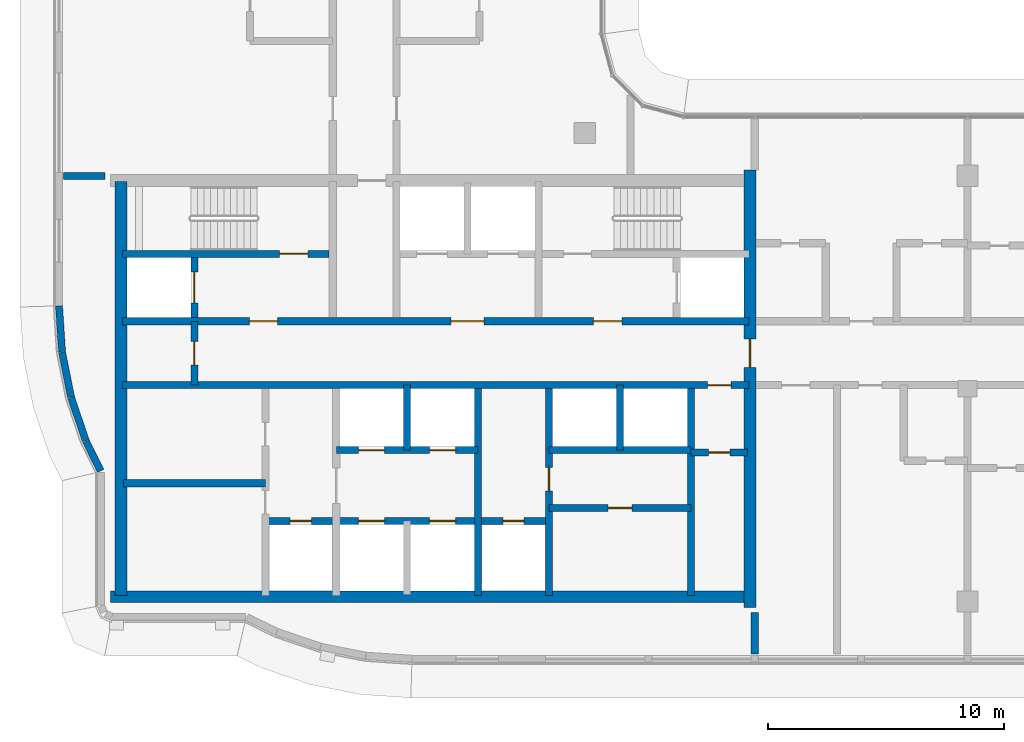
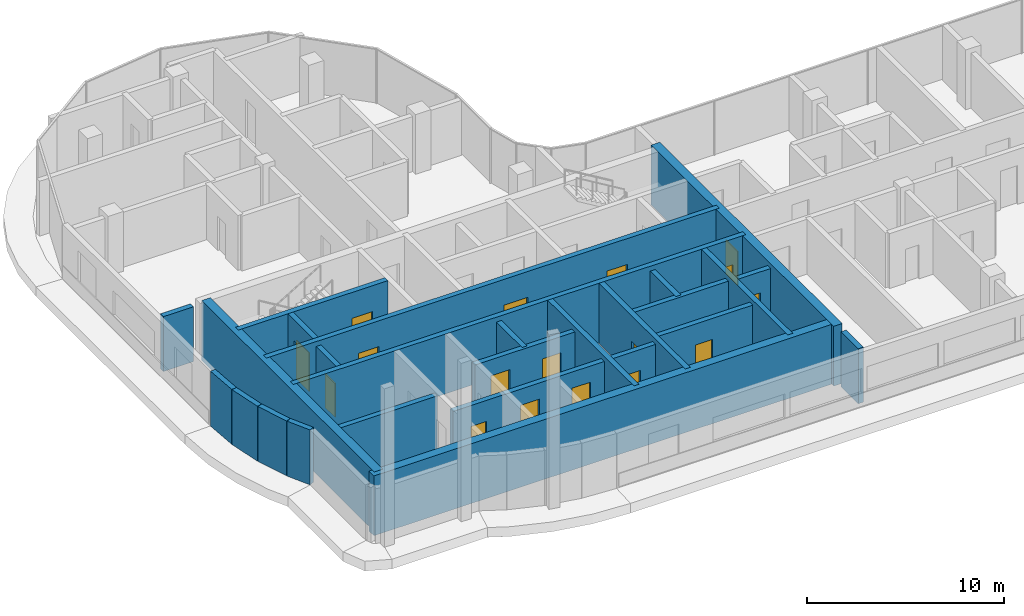
# One storey, part 9 of 20: 25 walls, 17 doors, 17 openings.
"""IFC4 building model written with IfcOpenShell, lengths in metres."""

from ifc_helpers import new_model, si_unit, direction, frame, frame_2d, origin, place, context, subcontext, project, spatial, rectangle, extrude, material, layer, layer_set, type_object, element, fill, save


model = new_model("IFC4")

# Units and contexts
model_context = context("Model", 3, precision=1e-05, world=origin(), true_north=direction((0.0, 1.0)))
body_context = subcontext(model_context, "Body", "Model", "MODEL_VIEW")
ifc_project = project(units=[si_unit("LENGTHUNIT", "METRE"), si_unit("AREAUNIT", "SQUARE_METRE"), si_unit("VOLUMEUNIT", "CUBIC_METRE"), si_unit("PLANEANGLEUNIT", "RADIAN"), si_unit("MASSUNIT", "GRAM", prefix="KILO")], contexts=[model_context])

# Site, building, storey
site_placement = place(None, origin())
site = spatial("IfcSite", under=ifc_project, at=site_placement, CompositionType="ELEMENT")
building_placement = place(site_placement, origin())
building = spatial("IfcBuilding", under=site, at=building_placement, Name="Ogive Portal Towers", CompositionType="ELEMENT")
storey_placement = place(building_placement, frame((0.0, 0.0, 232.800048828125)))
storey = spatial("IfcBuildingStorey", under=building, at=storey_placement, Name="L58", CompositionType="ELEMENT", Elevation=232.800048828125)

# Wall
ifc_material_1 = material(Name="Concrete C60/75", Category="concrete")
ifc_layer_1 = layer(ifc_material_1, 0.300048828125)
ifc_layer_set_1 = layer_set([ifc_layer_1], Name="CORE WALL 300 C60")
wall_type_1 = type_object("IfcWallType", Name="CORE WALL 300 C60", PredefinedType="SHEAR", material=ifc_layer_set_1)
wall_1_placement = place(storey_placement, frame((46.800048828125, 21.75, 0.0), z_axis=(0.0, 0.0, 1.0), x_axis=(0.0, 1.0, 0.0)))
element("IfcWall", 1, at=wall_1_placement, inside=storey, type_object=wall_type_1, Name="Core wall X3 L58", PredefinedType="SHEAR", context=body_context, shape_type="SweptSolid", body=[
    extrude(rectangle(XDim=8.75, YDim=0.300048828125, at=frame_2d((4.375, 0.0))), origin(), (0.0, 0.0, 1.0), 3.699951171875),
])

# Wall, opening, door
wall_2_placement = place(storey_placement, frame((49.800048828125, 21.75, 0.0), z_axis=(0.0, 0.0, 1.0), x_axis=(0.0, 1.0, 0.0)))
wall_2 = element("IfcWall", 2, at=wall_2_placement, inside=storey, type_object=wall_type_1, Name="Core wall X4 L58", PredefinedType="SHEAR", context=body_context, shape_type="SweptSolid", body=[
    extrude(rectangle(XDim=8.75, YDim=0.300048828125, at=frame_2d((4.375, 0.0))), origin(), (0.0, 0.0, 1.0), 3.699951171875),
])
opening_1_placement = place(wall_2_placement, frame((4.425048828125, 0.0, 0.0)))
opening_1 = element("IfcOpeningElement", 3, at=opening_1_placement, cuts=wall_2, Name="Opening D26-023", PredefinedType="OPENING", context=body_context, shape_type="SweptSolid", body=[
    extrude(rectangle(XDim=1.0, YDim=2.10009765625, at=frame_2d((0.5, 1.050048828125))), frame((0.0, 0.16015625, 0.0), z_axis=(0.0, -1.0, 0.0), x_axis=(1.0, 0.0, 0.0)), (0.0, 0.0, 1.0), 0.320068359375),
])
ifc_material_2 = material(Name="Steel fire door", Category="steel")
door_type_1 = type_object("IfcDoorType", Name="DT-SWING-1000x2100-FD90S", OperationType="SINGLE_SWING_LEFT", PredefinedType="DOOR", material=ifc_material_2)
door_1_placement = place(opening_1_placement, origin())
door_1 = element("IfcDoor", 4, at=door_1_placement, inside=storey, type_object=door_type_1, Name="Door D26-023", OperationType="SINGLE_SWING_LEFT", OverallHeight=2.10009765625, OverallWidth=1.0, PredefinedType="DOOR", context=body_context, shape_type="SweptSolid", body=[
    extrude(rectangle(XDim=1.0, YDim=2.10009765625, at=frame_2d((0.5, 1.050048828125))), frame((0.0, 0.02490234375, 0.0), z_axis=(0.0, -1.0, 0.0), x_axis=(1.0, 0.0, 0.0)), (0.0, 0.0, 1.0), 0.050048828125),
])
fill(opening_1, door_1)

# Wall
wall_3_placement = place(storey_placement, frame((55.800048828125, 21.75, 0.0), z_axis=(0.0, 0.0, 1.0), x_axis=(0.0, 1.0, 0.0)))
element("IfcWall", 5, at=wall_3_placement, inside=storey, type_object=wall_type_1, Name="Core wall X5 L58", PredefinedType="SHEAR", context=body_context, shape_type="SweptSolid", body=[
    extrude(rectangle(XDim=8.75, YDim=0.300048828125, at=frame_2d((4.375, 0.0))), origin(), (0.0, 0.0, 1.0), 3.699951171875),
])

# Wall, opening, door
wall_4_placement = place(storey_placement, frame((31.75, 30.64990234375, 0.0), z_axis=(0.0, 0.0, 1.0), x_axis=(1.0, 0.0, 0.0)))
wall_4 = element("IfcWall", 6, at=wall_4_placement, inside=storey, type_object=wall_type_1, Name="Core wall Y1 L58", PredefinedType="SHEAR", context=body_context, shape_type="SweptSolid", body=[
    extrude(rectangle(XDim=26.5, YDim=0.300048828125, at=frame_2d((13.25, 0.0))), origin(), (0.0, 0.0, 1.0), 3.699951171875),
])
opening_2_placement = place(wall_4_placement, frame((24.75, 0.0, 0.0)))
opening_2 = element("IfcOpeningElement", 7, at=opening_2_placement, cuts=wall_4, Name="Opening D26-009", PredefinedType="OPENING", context=body_context, shape_type="SweptSolid", body=[
    extrude(rectangle(XDim=1.0, YDim=2.10009765625, at=frame_2d((0.5, 1.050048828125))), frame((0.0, 0.16015625, 0.0), z_axis=(0.0, -1.0, 0.0), x_axis=(1.0, 0.0, 0.0)), (0.0, 0.0, 1.0), 0.320068359375),
])
door_2_placement = place(opening_2_placement, origin())
door_2 = element("IfcDoor", 8, at=door_2_placement, inside=storey, type_object=door_type_1, Name="Door D26-009", OperationType="SINGLE_SWING_LEFT", OverallHeight=2.10009765625, OverallWidth=1.0, PredefinedType="DOOR", context=body_context, shape_type="SweptSolid", body=[
    extrude(rectangle(XDim=1.0, YDim=2.10009765625, at=frame_2d((0.5, 1.050048828125))), frame((0.0, 0.02490234375, 0.0), z_axis=(0.0, -1.0, 0.0), x_axis=(1.0, 0.0, 0.0)), (0.0, 0.0, 1.0), 0.050048828125),
])
fill(opening_2, door_2)

# Wall, openings, doors
wall_5_placement = place(storey_placement, frame((31.75, 33.35009765625, 0.0), z_axis=(0.0, 0.0, 1.0), x_axis=(1.0, 0.0, 0.0)))
wall_5 = element("IfcWall", 9, at=wall_5_placement, inside=storey, type_object=wall_type_1, Name="Core wall Y2 L58", PredefinedType="SHEAR", context=body_context, shape_type="SweptSolid", body=[
    extrude(rectangle(XDim=26.5, YDim=0.300048828125, at=frame_2d((13.25, 0.0))), origin(), (0.0, 0.0, 1.0), 3.699951171875),
])
opening_3_placement = place(wall_5_placement, frame((13.89990234375, 0.0, 0.0)))
opening_3 = element("IfcOpeningElement", 10, at=opening_3_placement, cuts=wall_5, Name="Opening D26-002", PredefinedType="OPENING", context=body_context, shape_type="SweptSolid", body=[
    extrude(rectangle(XDim=1.39990234375, YDim=2.10009765625, at=frame_2d((0.699951171875, 1.050048828125))), frame((0.0, 0.16015625, 0.0), z_axis=(0.0, -1.0, 0.0), x_axis=(1.0, 0.0, 0.0)), (0.0, 0.0, 1.0), 0.320068359375),
])
opening_4_placement = place(wall_5_placement, frame((5.375, 0.0, 0.0)))
opening_4 = element("IfcOpeningElement", 11, at=opening_4_placement, cuts=wall_5, Name="Opening D26-003", PredefinedType="OPENING", context=body_context, shape_type="SweptSolid", body=[
    extrude(rectangle(XDim=1.199951171875, YDim=2.10009765625, at=frame_2d((0.60009765625, 1.050048828125))), frame((0.0, 0.16015625, 0.0), z_axis=(0.0, -1.0, 0.0), x_axis=(1.0, 0.0, 0.0)), (0.0, 0.0, 1.0), 0.320068359375),
])
opening_5_placement = place(wall_5_placement, frame((19.925048828125, 0.0, 0.0)))
opening_5 = element("IfcOpeningElement", 12, at=opening_5_placement, cuts=wall_5, Name="Opening D26-004", PredefinedType="OPENING", context=body_context, shape_type="SweptSolid", body=[
    extrude(rectangle(XDim=1.199951171875, YDim=2.10009765625, at=frame_2d((0.60009765625, 1.050048828125))), frame((0.0, 0.16015625, 0.0), z_axis=(0.0, -1.0, 0.0), x_axis=(1.0, 0.0, 0.0)), (0.0, 0.0, 1.0), 0.320068359375),
])
door_type_2 = type_object("IfcDoorType", Name="DT-SWING-1200x2100-FD90S", OperationType="SINGLE_SWING_LEFT", PredefinedType="DOOR", material=ifc_material_2)
door_3_placement = place(opening_4_placement, origin())
door_3 = element("IfcDoor", 13, at=door_3_placement, inside=storey, type_object=door_type_2, Name="Door D26-003", OperationType="SINGLE_SWING_LEFT", OverallHeight=2.10009765625, OverallWidth=1.199951171875, PredefinedType="DOOR", context=body_context, shape_type="SweptSolid", body=[
    extrude(rectangle(XDim=1.199951171875, YDim=2.10009765625, at=frame_2d((0.60009765625, 1.050048828125))), frame((0.0, 0.02490234375, 0.0), z_axis=(0.0, -1.0, 0.0), x_axis=(1.0, 0.0, 0.0)), (0.0, 0.0, 1.0), 0.050048828125),
])
fill(opening_4, door_3)
door_4_placement = place(opening_5_placement, origin())
door_4 = element("IfcDoor", 14, at=door_4_placement, inside=storey, type_object=door_type_2, Name="Door D26-004", OperationType="SINGLE_SWING_RIGHT", OverallHeight=2.10009765625, OverallWidth=1.199951171875, PredefinedType="DOOR", context=body_context, shape_type="SweptSolid", body=[
    extrude(rectangle(XDim=1.199951171875, YDim=2.10009765625, at=frame_2d((0.60009765625, 1.050048828125))), frame((0.0, 0.02490234375, 0.0), z_axis=(0.0, -1.0, 0.0), x_axis=(1.0, 0.0, 0.0)), (0.0, 0.0, 1.0), 0.050048828125),
])
fill(opening_5, door_4)
door_type_3 = type_object("IfcDoorType", Name="DT-SWING-1400x2100-FD90S", OperationType="SINGLE_SWING_LEFT", PredefinedType="DOOR", material=ifc_material_2)
door_5_placement = place(opening_3_placement, origin())
door_5 = element("IfcDoor", 15, at=door_5_placement, inside=storey, type_object=door_type_3, Name="Door D26-002", OperationType="SINGLE_SWING_RIGHT", OverallHeight=2.10009765625, OverallWidth=1.39990234375, PredefinedType="DOOR", context=body_context, shape_type="SweptSolid", body=[
    extrude(rectangle(XDim=1.39990234375, YDim=2.10009765625, at=frame_2d((0.699951171875, 1.050048828125))), frame((0.0, 0.02490234375, 0.0), z_axis=(0.0, -1.0, 0.0), x_axis=(1.0, 0.0, 0.0)), (0.0, 0.0, 1.0), 0.050048828125),
])
fill(opening_3, door_5)

# Wall, opening, door
wall_6_placement = place(storey_placement, frame((31.75, 36.199951171875, 0.0), z_axis=(0.0, 0.0, 1.0), x_axis=(1.0, 0.0, 0.0)))
wall_6 = element("IfcWall", 16, at=wall_6_placement, inside=storey, type_object=wall_type_1, Name="Core wall Y3a L58", PredefinedType="SHEAR", context=body_context, shape_type="SweptSolid", body=[
    extrude(rectangle(XDim=8.75, YDim=0.300048828125, at=frame_2d((4.375, 0.0))), origin(), (0.0, 0.0, 1.0), 3.699951171875),
])
opening_6_placement = place(wall_6_placement, frame((6.64990234375, 0.0, 0.0)))
opening_6 = element("IfcOpeningElement", 17, at=opening_6_placement, cuts=wall_6, Name="Opening D26-005", PredefinedType="OPENING", context=body_context, shape_type="SweptSolid", body=[
    extrude(rectangle(XDim=1.199951171875, YDim=2.10009765625, at=frame_2d((0.60009765625, 1.050048828125))), frame((0.0, 0.16015625, 0.0), z_axis=(0.0, -1.0, 0.0), x_axis=(1.0, 0.0, 0.0)), (0.0, 0.0, 1.0), 0.320068359375),
])
door_6_placement = place(opening_6_placement, origin())
door_6 = element("IfcDoor", 18, at=door_6_placement, inside=storey, type_object=door_type_2, Name="Door D26-005", OperationType="SINGLE_SWING_RIGHT", OverallHeight=2.10009765625, OverallWidth=1.199951171875, PredefinedType="DOOR", context=body_context, shape_type="SweptSolid", body=[
    extrude(rectangle(XDim=1.199951171875, YDim=2.10009765625, at=frame_2d((0.60009765625, 1.050048828125))), frame((0.0, 0.02490234375, 0.0), z_axis=(0.0, -1.0, 0.0), x_axis=(1.0, 0.0, 0.0)), (0.0, 0.0, 1.0), 0.050048828125),
])
fill(opening_6, door_6)

wall_7_placement = place(storey_placement, frame((34.800048828125, 33.5, 0.0), z_axis=(0.0, 0.0, 1.0), x_axis=(0.0, 1.0, 0.0)))
wall_7 = element("IfcWall", 19, at=wall_7_placement, inside=storey, type_object=wall_type_1, Name="Core wall X8 L58", PredefinedType="SHEAR", context=body_context, shape_type="SweptSolid", body=[
    extrude(rectangle(XDim=2.550048828125, YDim=0.300048828125, at=frame_2d((1.27490234375, 0.0))), origin(), (0.0, 0.0, 1.0), 3.699951171875),
])
opening_7_placement = place(wall_7_placement, frame((0.625, 0.0, 0.0)))
opening_7 = element("IfcOpeningElement", 20, at=opening_7_placement, cuts=wall_7, Name="Opening D26-019", PredefinedType="OPENING", context=body_context, shape_type="SweptSolid", body=[
    extrude(rectangle(XDim=1.300048828125, YDim=2.39990234375, at=frame_2d((0.64990234375, 1.199951171875))), frame((0.0, 0.16015625, 0.0), z_axis=(0.0, -1.0, 0.0), x_axis=(1.0, 0.0, 0.0)), (0.0, 0.0, 1.0), 0.320068359375),
])
ifc_material_3 = material(Name="Stainless steel", Category="steel")
door_type_4 = type_object("IfcDoorType", Name="DT-LD-1300x2400", OperationType="SLIDING_TO_LEFT", PredefinedType="DOOR", material=ifc_material_3)
door_7_placement = place(opening_7_placement, origin())
door_7 = element("IfcDoor", 21, at=door_7_placement, inside=storey, type_object=door_type_4, Name="Door D26-019", OperationType="SLIDING_TO_LEFT", OverallHeight=2.39990234375, OverallWidth=1.300048828125, PredefinedType="DOOR", context=body_context, shape_type="SweptSolid", body=[
    extrude(rectangle(XDim=1.300048828125, YDim=2.39990234375, at=frame_2d((0.64990234375, 1.199951171875))), frame((0.0, 0.02490234375, 0.0), z_axis=(0.0, -1.0, 0.0), x_axis=(1.0, 0.0, 0.0)), (0.0, 0.0, 1.0), 0.050048828125),
])
fill(opening_7, door_7)

# Walls
ifc_layer_2 = layer(ifc_material_1, 0.5)
ifc_layer_set_2 = layer_set([ifc_layer_2], Name="CORE WALL 500 C60")
wall_type_2 = type_object("IfcWallType", Name="CORE WALL 500 C60", PredefinedType="SHEAR", material=ifc_layer_set_2)
wall_8_placement = place(storey_placement, frame((31.699951171875, 21.75, 0.0), z_axis=(0.0, 0.0, 1.0), x_axis=(0.0, 1.0, 0.0)))
element("IfcWall", 22, at=wall_8_placement, inside=storey, type_object=wall_type_2, Name="Core wall W L58", PredefinedType="SHEAR", context=body_context, shape_type="SweptSolid", body=[
    extrude(rectangle(XDim=17.5, YDim=0.5, at=frame_2d((8.75, 0.0))), origin(), (0.0, 0.0, 1.0), 3.699951171875),
])
wall_9_placement = place(storey_placement, frame((31.25, 21.699951171875, 0.0), z_axis=(0.0, 0.0, 1.0), x_axis=(1.0, 0.0, 0.0)))
element("IfcWall", 23, at=wall_9_placement, inside=storey, type_object=wall_type_2, Name="Core wall S L58", PredefinedType="SHEAR", context=body_context, shape_type="SweptSolid", body=[
    extrude(rectangle(XDim=27.0, YDim=0.5, at=frame_2d((13.5, 0.0))), origin(), (0.0, 0.0, 1.0), 3.699951171875),
])

# Wall, opening, door
wall_10_placement = place(storey_placement, frame((58.300048828125, 21.25, 0.0), z_axis=(0.0, 0.0, 1.0), x_axis=(0.0, 1.0, 0.0)))
wall_10 = element("IfcWall", 24, at=wall_10_placement, inside=storey, type_object=wall_type_2, Name="Core wall E L58", PredefinedType="SHEAR", context=body_context, shape_type="SweptSolid", body=[
    extrude(rectangle(XDim=18.5, YDim=0.5, at=frame_2d((9.25, 0.0))), origin(), (0.0, 0.0, 1.0), 3.699951171875),
])
opening_8_placement = place(wall_10_placement, frame((10.14990234375, 0.0, 0.0)))
opening_8 = element("IfcOpeningElement", 25, at=opening_8_placement, cuts=wall_10, Name="Opening D26-011", PredefinedType="OPENING", context=body_context, shape_type="SweptSolid", body=[
    extrude(rectangle(XDim=1.199951171875, YDim=2.10009765625, at=frame_2d((0.60009765625, 1.050048828125))), frame((0.0, 0.260009765625, 0.0), z_axis=(0.0, -1.0, 0.0), x_axis=(1.0, 0.0, 0.0)), (0.0, 0.0, 1.0), 0.52001953125),
])
door_8_placement = place(opening_8_placement, origin())
door_8 = element("IfcDoor", 26, at=door_8_placement, inside=storey, type_object=door_type_2, Name="Door D26-011", OperationType="SINGLE_SWING_LEFT", OverallHeight=2.10009765625, OverallWidth=1.199951171875, PredefinedType="DOOR", context=body_context, shape_type="SweptSolid", body=[
    extrude(rectangle(XDim=1.199951171875, YDim=2.10009765625, at=frame_2d((0.60009765625, 1.050048828125))), frame((0.0, 0.02490234375, 0.0), z_axis=(0.0, -1.0, 0.0), x_axis=(1.0, 0.0, 0.0)), (0.0, 0.0, 1.0), 0.050048828125),
])
fill(opening_8, door_8)

# Walls
ifc_material_4 = material(Name="Limestone cladding on lightweight block wall", Category="masonry")
ifc_layer_3 = layer(ifc_material_4, 0.300048828125)
ifc_layer_set_3 = layer_set([ifc_layer_3], Name="EXTERNAL WALL 300 STONE")
wall_type_3 = type_object("IfcWallType", Name="EXTERNAL WALL 300 STONE", PredefinedType="SOLIDWALL", material=ifc_layer_set_3)
wall_11_placement = place(storey_placement, frame((29.075439453125, 34.0, 0.0), z_axis=(0.0, 0.0, 1.0), x_axis=(0.065359381612, -0.997861789646, 0.0)))
element("IfcWall", 27, at=wall_11_placement, inside=storey, type_object=wall_type_3, Name="A:L58:f28:r0:wall", PredefinedType="SOLIDWALL", context=body_context, shape_type="SweptSolid", body=[
    extrude(rectangle(XDim=1.9423828125, YDim=0.300048828125, at=frame_2d((0.97119140625, 0.0))), origin(), (0.0, 0.0, 1.0), 3.39990234375),
])
wall_12_placement = place(storey_placement, frame((29.204833984375, 32.042236328125, 0.0), z_axis=(0.0, 0.0, 1.0), x_axis=(0.195192806162, -0.980764889473, 0.0)))
element("IfcWall", 28, at=wall_12_placement, inside=storey, type_object=wall_type_3, Name="A:L58:f29:r0:wall", PredefinedType="SOLIDWALL", context=body_context, shape_type="SweptSolid", body=[
    extrude(rectangle(XDim=1.932373046875, YDim=0.300048828125, at=frame_2d((0.96630859375, 0.0))), origin(), (0.0, 0.0, 1.0), 3.39990234375),
])
wall_13_placement = place(storey_placement, frame((29.5869140625, 30.1279296875, 0.0), z_axis=(0.0, 0.0, 1.0), x_axis=(0.321490535672, -0.946912791905, 0.0)))
element("IfcWall", 29, at=wall_13_placement, inside=storey, type_object=wall_type_3, Name="A:L58:f30:r0:wall", PredefinedType="SOLIDWALL", context=body_context, shape_type="SweptSolid", body=[
    extrude(rectangle(XDim=1.9326171875, YDim=0.300048828125, at=frame_2d((0.96630859375, 0.0))), origin(), (0.0, 0.0, 1.0), 3.39990234375),
])
wall_14_placement = place(storey_placement, frame((30.2158203125, 28.27978515625, 0.0), z_axis=(0.0, 0.0, 1.0), x_axis=(0.442180959254, -0.896925860522, 0.0)))
element("IfcWall", 30, at=wall_14_placement, inside=storey, type_object=wall_type_3, Name="A:L58:f31:r0:wall", PredefinedType="SOLIDWALL", context=body_context, shape_type="SweptSolid", body=[
    extrude(rectangle(XDim=1.399169921875, YDim=0.300048828125, at=frame_2d((0.69970703125, 0.0))), origin(), (0.0, 0.0, 1.0), 3.39990234375),
])

# Wall, opening, door
ifc_material_5 = material(Name="Gypsum board partition on steel studs", Category="steel")
ifc_layer_4 = layer(ifc_material_5, 0.300048828125)
ifc_layer_set_4 = layer_set([ifc_layer_4], Name="WT-PART-300")
wall_type_4 = type_object("IfcWallType", Name="WT-PART-300", PredefinedType="PARTITIONING", material=ifc_layer_set_4)
wall_15_placement = place(storey_placement, frame((49.800048828125, 25.449951171875, 0.0), z_axis=(0.0, 0.0, 1.0), x_axis=(1.0, 0.0, 0.0)))
wall_15 = element("IfcWall", 31, at=wall_15_placement, inside=storey, type_object=wall_type_4, Name="Wall pw:002:L58", PredefinedType="PARTITIONING", context=body_context, shape_type="SweptSolid", body=[
    extrude(rectangle(XDim=6.0, YDim=0.300048828125, at=frame_2d((3.0, 0.0))), origin(), (0.0, 0.0, 1.0), 3.39990234375),
])
opening_9_placement = place(wall_15_placement, frame((2.5, 0.0, 0.0)))
opening_9 = element("IfcOpeningElement", 32, at=opening_9_placement, cuts=wall_15, Name="Opening D26-024", PredefinedType="OPENING", context=body_context, shape_type="SweptSolid", body=[
    extrude(rectangle(XDim=1.0, YDim=2.10009765625, at=frame_2d((0.5, 1.050048828125))), frame((0.0, 0.16015625, 0.0), z_axis=(0.0, -1.0, 0.0), x_axis=(1.0, 0.0, 0.0)), (0.0, 0.0, 1.0), 0.320068359375),
])
door_type_5 = type_object("IfcDoorType", Name="DT-SWING-1000x2100-FD60S", OperationType="SINGLE_SWING_LEFT", PredefinedType="DOOR", material=ifc_material_2)
door_9_placement = place(opening_9_placement, origin())
door_9 = element("IfcDoor", 33, at=door_9_placement, inside=storey, type_object=door_type_5, Name="Door D26-024", OperationType="SINGLE_SWING_RIGHT", OverallHeight=2.10009765625, OverallWidth=1.0, PredefinedType="DOOR", context=body_context, shape_type="SweptSolid", body=[
    extrude(rectangle(XDim=1.0, YDim=2.10009765625, at=frame_2d((0.5, 1.050048828125))), frame((0.0, 0.02490234375, 0.0), z_axis=(0.0, -1.0, 0.0), x_axis=(1.0, 0.0, 0.0)), (0.0, 0.0, 1.0), 0.050048828125),
])
fill(opening_9, door_9)

# Wall
wall_16_placement = place(storey_placement, frame((31.800048828125, 26.5, 0.0), z_axis=(0.0, 0.0, 1.0), x_axis=(1.0, 0.0, 0.0)))
element("IfcWall", 34, at=wall_16_placement, inside=storey, type_object=wall_type_4, Name="Wall pw:003:L58", PredefinedType="PARTITIONING", context=body_context, shape_type="SweptSolid", body=[
    extrude(rectangle(XDim=6.0, YDim=0.300048828125, at=frame_2d((3.0, 0.0))), origin(), (0.0, 0.0, 1.0), 3.39990234375),
])

# Wall, opening, door
wall_17_placement = place(storey_placement, frame((55.800048828125, 27.800048828125, 0.0), z_axis=(0.0, 0.0, 1.0), x_axis=(1.0, 0.0, 0.0)))
wall_17 = element("IfcWall", 35, at=wall_17_placement, inside=storey, type_object=wall_type_4, Name="Wall pw:004:L58", PredefinedType="PARTITIONING", context=body_context, shape_type="SweptSolid", body=[
    extrude(rectangle(XDim=2.39990234375, YDim=0.300048828125, at=frame_2d((1.199951171875, 0.0))), origin(), (0.0, 0.0, 1.0), 3.39990234375),
])
opening_10_placement = place(wall_17_placement, frame((0.75, 0.0, 0.0)))
opening_10 = element("IfcOpeningElement", 36, at=opening_10_placement, cuts=wall_17, Name="Opening D26-010", PredefinedType="OPENING", context=body_context, shape_type="SweptSolid", body=[
    extrude(rectangle(XDim=0.89990234375, YDim=2.10009765625, at=frame_2d((0.449951171875, 1.050048828125))), frame((0.0, 0.16015625, 0.0), z_axis=(0.0, -1.0, 0.0), x_axis=(1.0, 0.0, 0.0)), (0.0, 0.0, 1.0), 0.320068359375),
])
door_type_6 = type_object("IfcDoorType", Name="DT-SWING-900x2100-FD60S", OperationType="SINGLE_SWING_LEFT", PredefinedType="DOOR", material=ifc_material_2)
door_10_placement = place(opening_10_placement, origin())
door_10 = element("IfcDoor", 37, at=door_10_placement, inside=storey, type_object=door_type_6, Name="Door D26-010", OperationType="SINGLE_SWING_RIGHT", OverallHeight=2.10009765625, OverallWidth=0.89990234375, PredefinedType="DOOR", context=body_context, shape_type="SweptSolid", body=[
    extrude(rectangle(XDim=0.89990234375, YDim=2.10009765625, at=frame_2d((0.449951171875, 1.050048828125))), frame((0.0, 0.02490234375, 0.0), z_axis=(0.0, -1.0, 0.0), x_axis=(1.0, 0.0, 0.0)), (0.0, 0.0, 1.0), 0.050048828125),
])
fill(opening_10, door_10)

# Walls
ifc_layer_5 = layer(ifc_material_5, 0.300048828125)
ifc_layer_set_5 = layer_set([ifc_layer_5], Name="WT-PART-300-EI 60")
wall_type_5 = type_object("IfcWallType", Name="WT-PART-300-EI 60", PredefinedType="PARTITIONING", material=ifc_layer_set_5)
for number, where, z_axis, x_axis, name in (
    (38, (29.27490234375, 39.5, 0.0), (0.0, 0.0, 1.0), (1.0, 0.0, 0.0), "Wall L58:w013"),
    (39, (58.5, 19.27490234375, 0.0), (0.0, 0.0, 1.0), (0.0, 1.0, 0.0), "Wall L58:w033"),
):
    element("IfcWall", number, at=place(storey_placement, frame(where, z_axis=z_axis, x_axis=x_axis)), inside=storey, type_object=wall_type_5, Name=name, PredefinedType="PARTITIONING", context=body_context, shape_type="SweptSolid", body=[
        extrude(rectangle(XDim=1.755126953125, YDim=0.300048828125, at=frame_2d((0.87744140625, 0.0))), origin(), (0.0, 0.0, 1.0), 3.39990234375),
    ])

# Wall, openings, doors
ifc_material_6 = material(Name="Concrete C40/50", Category="concrete")
ifc_layer_6 = layer(ifc_material_6, 0.300048828125)
ifc_layer_set_6 = layer_set([ifc_layer_6], Name="WT-SHAFT-300")
wall_type_6 = type_object("IfcWallType", Name="WT-SHAFT-300", PredefinedType="SOLIDWALL", material=ifc_layer_set_6)
wall_18_placement = place(storey_placement, frame((37.800048828125, 24.89990234375, 0.0), z_axis=(0.0, 0.0, 1.0), x_axis=(1.0, 0.0, 0.0)))
wall_18 = element("IfcWall", 40, at=wall_18_placement, inside=storey, type_object=wall_type_6, Name="Wall pw:001:L58", PredefinedType="SOLIDWALL", context=body_context, shape_type="SweptSolid", body=[
    extrude(rectangle(XDim=12.0, YDim=0.300048828125, at=frame_2d((6.0, 0.0))), origin(), (0.0, 0.0, 1.0), 3.39990234375),
])
opening_11_placement = place(wall_18_placement, frame((1.050048828125, 0.0, 0.0)))
opening_11 = element("IfcOpeningElement", 41, at=opening_11_placement, cuts=wall_18, Name="Opening D26-007", PredefinedType="OPENING", context=body_context, shape_type="SweptSolid", body=[
    extrude(rectangle(XDim=0.89990234375, YDim=2.10009765625, at=frame_2d((0.449951171875, 1.050048828125))), frame((0.0, 0.16015625, 0.0), z_axis=(0.0, -1.0, 0.0), x_axis=(1.0, 0.0, 0.0)), (0.0, 0.0, 1.0), 0.320068359375),
])
opening_12_placement = place(wall_18_placement, frame((10.050048828125, 0.0, 0.0)))
opening_12 = element("IfcOpeningElement", 42, at=opening_12_placement, cuts=wall_18, Name="Opening D26-008", PredefinedType="OPENING", context=body_context, shape_type="SweptSolid", body=[
    extrude(rectangle(XDim=0.89990234375, YDim=2.10009765625, at=frame_2d((0.449951171875, 1.050048828125))), frame((0.0, 0.16015625, 0.0), z_axis=(0.0, -1.0, 0.0), x_axis=(1.0, 0.0, 0.0)), (0.0, 0.0, 1.0), 0.320068359375),
])
opening_13_placement = place(wall_18_placement, frame((3.949951171875, 0.0, 0.0)))
opening_13 = element("IfcOpeningElement", 43, at=opening_13_placement, cuts=wall_18, Name="Opening D26-013", PredefinedType="OPENING", context=body_context, shape_type="SweptSolid", body=[
    extrude(rectangle(XDim=1.10009765625, YDim=2.39990234375, at=frame_2d((0.550048828125, 1.199951171875))), frame((0.0, 0.16015625, 0.0), z_axis=(0.0, -1.0, 0.0), x_axis=(1.0, 0.0, 0.0)), (0.0, 0.0, 1.0), 0.320068359375),
])
opening_14_placement = place(wall_18_placement, frame((6.949951171875, 0.0, 0.0)))
opening_14 = element("IfcOpeningElement", 44, at=opening_14_placement, cuts=wall_18, Name="Opening D26-014", PredefinedType="OPENING", context=body_context, shape_type="SweptSolid", body=[
    extrude(rectangle(XDim=1.10009765625, YDim=2.39990234375, at=frame_2d((0.550048828125, 1.199951171875))), frame((0.0, 0.16015625, 0.0), z_axis=(0.0, -1.0, 0.0), x_axis=(1.0, 0.0, 0.0)), (0.0, 0.0, 1.0), 0.320068359375),
])
door_type_7 = type_object("IfcDoorType", Name="DT-LD-1100x2400", OperationType="SLIDING_TO_LEFT", PredefinedType="DOOR", material=ifc_material_3)
door_11_placement = place(opening_13_placement, origin())
door_11 = element("IfcDoor", 45, at=door_11_placement, inside=storey, type_object=door_type_7, Name="Door D26-013", OperationType="SLIDING_TO_LEFT", OverallHeight=2.39990234375, OverallWidth=1.10009765625, PredefinedType="DOOR", context=body_context, shape_type="SweptSolid", body=[
    extrude(rectangle(XDim=1.10009765625, YDim=2.39990234375, at=frame_2d((0.550048828125, 1.199951171875))), frame((0.0, 0.02490234375, 0.0), z_axis=(0.0, -1.0, 0.0), x_axis=(1.0, 0.0, 0.0)), (0.0, 0.0, 1.0), 0.050048828125),
])
fill(opening_13, door_11)
door_12_placement = place(opening_14_placement, origin())
door_12 = element("IfcDoor", 46, at=door_12_placement, inside=storey, type_object=door_type_7, Name="Door D26-014", OperationType="SLIDING_TO_LEFT", OverallHeight=2.39990234375, OverallWidth=1.10009765625, PredefinedType="DOOR", context=body_context, shape_type="SweptSolid", body=[
    extrude(rectangle(XDim=1.10009765625, YDim=2.39990234375, at=frame_2d((0.550048828125, 1.199951171875))), frame((0.0, 0.02490234375, 0.0), z_axis=(0.0, -1.0, 0.0), x_axis=(1.0, 0.0, 0.0)), (0.0, 0.0, 1.0), 0.050048828125),
])
fill(opening_14, door_12)
door_type_8 = type_object("IfcDoorType", Name="DT-SWING-900x2100-FD90S", OperationType="SINGLE_SWING_LEFT", PredefinedType="DOOR", material=ifc_material_2)
door_13_placement = place(opening_11_placement, origin())
door_13 = element("IfcDoor", 47, at=door_13_placement, inside=storey, type_object=door_type_8, Name="Riser access door D26-007", OperationType="SINGLE_SWING_LEFT", OverallHeight=2.10009765625, OverallWidth=0.89990234375, PredefinedType="DOOR", context=body_context, shape_type="SweptSolid", body=[
    extrude(rectangle(XDim=0.89990234375, YDim=2.10009765625, at=frame_2d((0.449951171875, 1.050048828125))), frame((0.0, 0.02490234375, 0.0), z_axis=(0.0, -1.0, 0.0), x_axis=(1.0, 0.0, 0.0)), (0.0, 0.0, 1.0), 0.050048828125),
])
fill(opening_11, door_13)
door_14_placement = place(opening_12_placement, origin())
door_14 = element("IfcDoor", 48, at=door_14_placement, inside=storey, type_object=door_type_8, Name="Riser access door D26-008", OperationType="SINGLE_SWING_RIGHT", OverallHeight=2.10009765625, OverallWidth=0.89990234375, PredefinedType="DOOR", context=body_context, shape_type="SweptSolid", body=[
    extrude(rectangle(XDim=0.89990234375, YDim=2.10009765625, at=frame_2d((0.449951171875, 1.050048828125))), frame((0.0, 0.02490234375, 0.0), z_axis=(0.0, -1.0, 0.0), x_axis=(1.0, 0.0, 0.0)), (0.0, 0.0, 1.0), 0.050048828125),
])
fill(opening_12, door_14)

wall_19_placement = place(storey_placement, frame((40.800048828125, 27.89990234375, 0.0), z_axis=(0.0, 0.0, 1.0), x_axis=(1.0, 0.0, 0.0)))
wall_19 = element("IfcWall", 49, at=wall_19_placement, inside=storey, type_object=wall_type_6, Name="Wall pw:005:L58", PredefinedType="SOLIDWALL", context=body_context, shape_type="SweptSolid", body=[
    extrude(rectangle(XDim=6.0, YDim=0.300048828125, at=frame_2d((3.0, 0.0))), origin(), (0.0, 0.0, 1.0), 3.39990234375),
])
opening_15_placement = place(wall_19_placement, frame((0.949951171875, 0.0, 0.0)))
opening_15 = element("IfcOpeningElement", 50, at=opening_15_placement, cuts=wall_19, Name="Opening D26-015", PredefinedType="OPENING", context=body_context, shape_type="SweptSolid", body=[
    extrude(rectangle(XDim=1.10009765625, YDim=2.39990234375, at=frame_2d((0.550048828125, 1.199951171875))), frame((0.0, 0.16015625, 0.0), z_axis=(0.0, -1.0, 0.0), x_axis=(1.0, 0.0, 0.0)), (0.0, 0.0, 1.0), 0.320068359375),
])
opening_16_placement = place(wall_19_placement, frame((3.949951171875, 0.0, 0.0)))
opening_16 = element("IfcOpeningElement", 51, at=opening_16_placement, cuts=wall_19, Name="Opening D26-016", PredefinedType="OPENING", context=body_context, shape_type="SweptSolid", body=[
    extrude(rectangle(XDim=1.10009765625, YDim=2.39990234375, at=frame_2d((0.550048828125, 1.199951171875))), frame((0.0, 0.16015625, 0.0), z_axis=(0.0, -1.0, 0.0), x_axis=(1.0, 0.0, 0.0)), (0.0, 0.0, 1.0), 0.320068359375),
])
door_15_placement = place(opening_15_placement, origin())
door_15 = element("IfcDoor", 52, at=door_15_placement, inside=storey, type_object=door_type_7, Name="Door D26-015", OperationType="SLIDING_TO_LEFT", OverallHeight=2.39990234375, OverallWidth=1.10009765625, PredefinedType="DOOR", context=body_context, shape_type="SweptSolid", body=[
    extrude(rectangle(XDim=1.10009765625, YDim=2.39990234375, at=frame_2d((0.550048828125, 1.199951171875))), frame((0.0, 0.02490234375, 0.0), z_axis=(0.0, -1.0, 0.0), x_axis=(1.0, 0.0, 0.0)), (0.0, 0.0, 1.0), 0.050048828125),
])
fill(opening_15, door_15)
door_16_placement = place(opening_16_placement, origin())
door_16 = element("IfcDoor", 53, at=door_16_placement, inside=storey, type_object=door_type_7, Name="Door D26-016", OperationType="SLIDING_TO_LEFT", OverallHeight=2.39990234375, OverallWidth=1.10009765625, PredefinedType="DOOR", context=body_context, shape_type="SweptSolid", body=[
    extrude(rectangle(XDim=1.10009765625, YDim=2.39990234375, at=frame_2d((0.550048828125, 1.199951171875))), frame((0.0, 0.02490234375, 0.0), z_axis=(0.0, -1.0, 0.0), x_axis=(1.0, 0.0, 0.0)), (0.0, 0.0, 1.0), 0.050048828125),
])
fill(opening_16, door_16)

# Wall
wall_20_placement = place(storey_placement, frame((49.800048828125, 27.89990234375, 0.0), z_axis=(0.0, 0.0, 1.0), x_axis=(1.0, 0.0, 0.0)))
element("IfcWall", 54, at=wall_20_placement, inside=storey, type_object=wall_type_6, Name="Wall pw:006:L58", PredefinedType="SOLIDWALL", context=body_context, shape_type="SweptSolid", body=[
    extrude(rectangle(XDim=6.0, YDim=0.300048828125, at=frame_2d((3.0, 0.0))), origin(), (0.0, 0.0, 1.0), 3.39990234375),
])

# Wall, opening, door
wall_21_placement = place(storey_placement, frame((34.800048828125, 30.64990234375, 0.0), z_axis=(0.0, 0.0, 1.0), x_axis=(0.0, 1.0, 0.0)))
wall_21 = element("IfcWall", 55, at=wall_21_placement, inside=storey, type_object=wall_type_6, Name="Wall pw:007:L58", PredefinedType="SOLIDWALL", context=body_context, shape_type="SweptSolid", body=[
    extrude(rectangle(XDim=2.7001953125, YDim=0.300048828125, at=frame_2d((1.35009765625, 0.0))), origin(), (0.0, 0.0, 1.0), 3.39990234375),
])
opening_17_placement = place(wall_21_placement, frame((0.85009765625, 0.0, 0.0)))
opening_17 = element("IfcOpeningElement", 56, at=opening_17_placement, cuts=wall_21, Name="Opening D26-025", PredefinedType="OPENING", context=body_context, shape_type="SweptSolid", body=[
    extrude(rectangle(XDim=1.0, YDim=2.10009765625, at=frame_2d((0.5, 1.050048828125))), frame((0.0, 0.16015625, 0.0), z_axis=(0.0, -1.0, 0.0), x_axis=(1.0, 0.0, 0.0)), (0.0, 0.0, 1.0), 0.320068359375),
])
door_17_placement = place(opening_17_placement, origin())
door_17 = element("IfcDoor", 57, at=door_17_placement, inside=storey, type_object=door_type_1, Name="Door D26-025", OperationType="SINGLE_SWING_LEFT", OverallHeight=2.10009765625, OverallWidth=1.0, PredefinedType="DOOR", context=body_context, shape_type="SweptSolid", body=[
    extrude(rectangle(XDim=1.0, YDim=2.10009765625, at=frame_2d((0.5, 1.050048828125))), frame((0.0, 0.02490234375, 0.0), z_axis=(0.0, -1.0, 0.0), x_axis=(1.0, 0.0, 0.0)), (0.0, 0.0, 1.0), 0.050048828125),
])
fill(opening_17, door_17)

# Walls
for number, where, z_axis, x_axis, name in (
    (58, (43.800048828125, 27.89990234375, 0.0), (0.0, 0.0, 1.0), (0.0, 1.0, 0.0), "Wall pw:009:L58"),
    (59, (52.800048828125, 27.89990234375, 0.0), (0.0, 0.0, 1.0), (0.0, 1.0, 0.0), "Wall pw:011:L58"),
):
    element("IfcWall", number, at=place(storey_placement, frame(where, z_axis=z_axis, x_axis=x_axis)), inside=storey, type_object=wall_type_6, Name=name, PredefinedType="SOLIDWALL", context=body_context, shape_type="SweptSolid", body=[
        extrude(rectangle(XDim=2.75, YDim=0.300048828125, at=frame_2d((1.375, 0.0))), origin(), (0.0, 0.0, 1.0), 3.39990234375),
    ])

save(model, "model.ifc")
